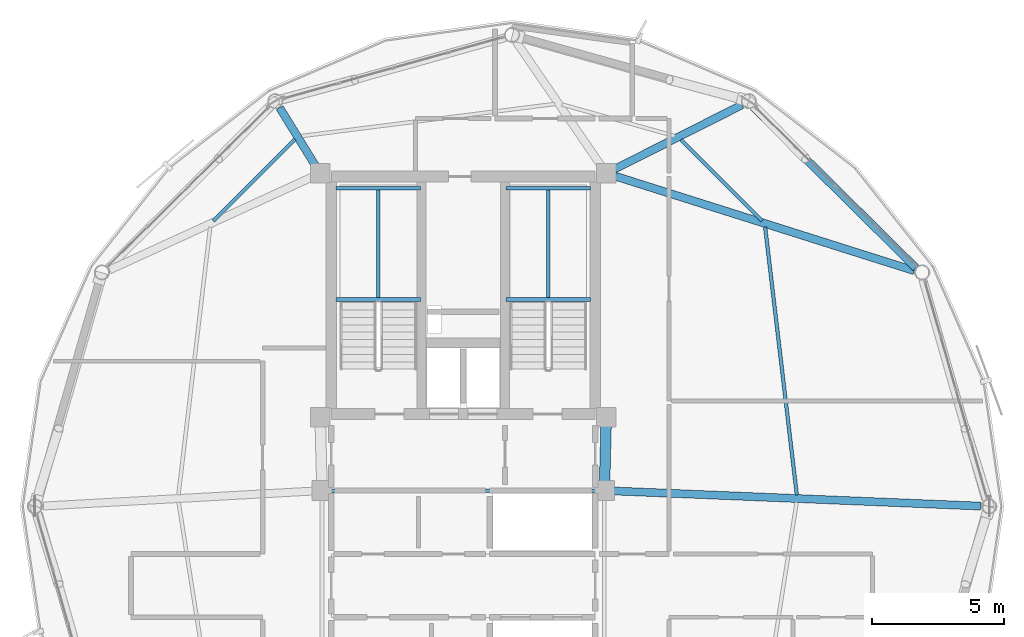
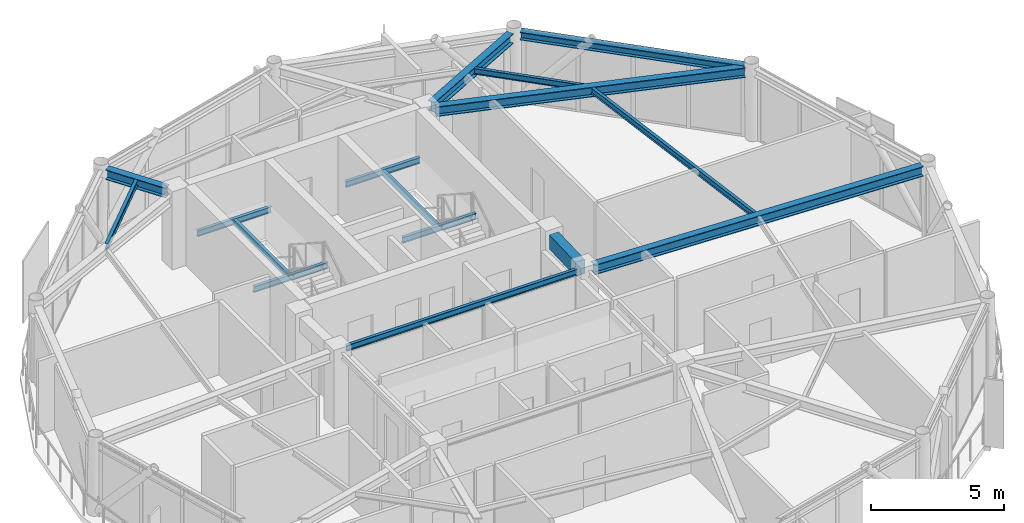
# One storey, part 13 of 26: 16 beams.
"""IFC4 building model written with IfcOpenShell, lengths in metres."""

from ifc_helpers import new_model, si_unit, direction, frame, origin, origin_2d, place, context, subcontext, project, spatial, rectangle, i_section, extrude, material, material_profile, profile_set, type_object, element, save


model = new_model("IFC4")

# Units and contexts
model_context = context("Model", 3, precision=1e-05, world=origin(), true_north=direction((0.0, 1.0)))
body_context = subcontext(model_context, "Body", "Model", "MODEL_VIEW")
ifc_project = project(units=[si_unit("LENGTHUNIT", "METRE"), si_unit("AREAUNIT", "SQUARE_METRE"), si_unit("VOLUMEUNIT", "CUBIC_METRE"), si_unit("PLANEANGLEUNIT", "RADIAN"), si_unit("MASSUNIT", "GRAM", prefix="KILO")], contexts=[model_context])

# Site, building, storey
site_placement = place(None, origin())
site = spatial("IfcSite", under=ifc_project, at=site_placement, CompositionType="ELEMENT")
building_placement = place(site_placement, origin())
building = spatial("IfcBuilding", under=site, at=building_placement, Name="Varnakorn Sky Granary", CompositionType="ELEMENT")
storey_placement = place(building_placement, frame((0.0, 0.0, 270.60009765625)))
storey = spatial("IfcBuildingStorey", under=building, at=storey_placement, Name="L69", CompositionType="ELEMENT", Elevation=270.60009765625)

# Beams
ifc_material_1 = material(Name="Concrete C50/60", Category="concrete")
ifc_material_profile_1 = material_profile(ifc_material_1, rectangle(XDim=0.39990234375, YDim=0.64990234375, at=origin_2d()), Name="RC 400x650")
ifc_profile_set_1 = profile_set([ifc_material_profile_1], Name="Concrete C50/60")
beam_type_1 = type_object("IfcBeamType", Name="BM-LIN-650", PredefinedType="LINTEL", material=ifc_profile_set_1)
beam_1_placement = place(storey_placement, frame((8.4111328125, 3.025146484375, 3.034912109375), z_axis=(-0.025227817192, -0.999681727971, 0.0), x_axis=(0.999681727971, -0.025227817192, 0.0)))
element("IfcBeam", 1, at=beam_1_placement, inside=storey, type_object=beam_type_1, Name="Core Spine Framing Beam 2 L69", PredefinedType="LINTEL", context=body_context, shape_type="SweptSolid", body=[
    extrude(rectangle(XDim=0.39990234375, YDim=0.64990234375, at=origin_2d()), origin(), (0.0, 0.0, 1.0), 2.071044921875),
])
ifc_material_2 = material(Name="Steel S355JR", Category="steel")
ifc_material_profile_2 = material_profile(ifc_material_2, i_section(OverallWidth=0.135009765625, OverallDepth=0.27001953125, WebThickness=0.006591796875, FlangeThickness=0.01025390625, at=origin_2d()), Name="IPE 270")
ifc_profile_set_2 = profile_set([ifc_material_profile_2], Name="Steel S355JR")
beam_type_2 = type_object("IfcBeamType", Name="BM-LND-270", PredefinedType="BEAM", material=ifc_profile_set_2)
for number, where, z_axis, x_axis, name in (
    (2, (-1.820068359375, 7.840087890625, 1.46484375), (1.0, 0.0, 0.0), (0.0, 1.0, 0.0), "Stair ST-1 Landing Trimmer Beam A L69-1"),
    (3, (-1.820068359375, 12.06005859375, 1.46484375), (1.0, 0.0, 0.0), (0.0, 1.0, 0.0), "Stair ST-1 Landing Trimmer Beam B L69-1"),
):
    element("IfcBeam", number, at=place(storey_placement, frame(where, z_axis=z_axis, x_axis=x_axis)), inside=storey, type_object=beam_type_2, Name=name, PredefinedType="BEAM", context=body_context, shape_type="SweptSolid", body=[
        extrude(i_section(OverallWidth=0.135009765625, OverallDepth=0.27001953125, WebThickness=0.006591796875, FlangeThickness=0.01025390625, at=origin_2d()), origin(), (0.0, 0.0, 1.0), 3.199951171875),
    ])
beam_2_placement = place(storey_placement, frame((-0.219970703125, 7.840087890625, 1.46484375), z_axis=(0.0, 1.0, 0.0), x_axis=(-1.0, 0.0, 0.0)))
element("IfcBeam", 4, at=beam_2_placement, inside=storey, type_object=beam_type_2, Name="Stair ST-1 Landing Cross Beam C L69-1", PredefinedType="BEAM", context=body_context, shape_type="SweptSolid", body=[
    extrude(i_section(OverallWidth=0.135009765625, OverallDepth=0.27001953125, WebThickness=0.006591796875, FlangeThickness=0.01025390625, at=origin_2d()), origin(), (0.0, 0.0, 1.0), 4.219970703125),
])
for number, where, z_axis, x_axis, name in (
    (5, (4.6201171875, 7.840087890625, 1.46484375), (1.0, 0.0, 0.0), (0.0, 1.0, 0.0), "Stair ST-2 Landing Trimmer Beam A L69-1"),
    (6, (4.6201171875, 12.06005859375, 1.46484375), (1.0, 0.0, 0.0), (0.0, 1.0, 0.0), "Stair ST-2 Landing Trimmer Beam B L69-1"),
):
    element("IfcBeam", number, at=place(storey_placement, frame(where, z_axis=z_axis, x_axis=x_axis)), inside=storey, type_object=beam_type_2, Name=name, PredefinedType="BEAM", context=body_context, shape_type="SweptSolid", body=[
        extrude(i_section(OverallWidth=0.135009765625, OverallDepth=0.27001953125, WebThickness=0.006591796875, FlangeThickness=0.01025390625, at=origin_2d()), origin(), (0.0, 0.0, 1.0), 3.199951171875),
    ])
beam_3_placement = place(storey_placement, frame((6.219970703125, 7.840087890625, 1.46484375), z_axis=(0.0, 1.0, 0.0), x_axis=(-1.0, 0.0, 0.0)))
element("IfcBeam", 7, at=beam_3_placement, inside=storey, type_object=beam_type_2, Name="Stair ST-2 Landing Cross Beam C L69-1", PredefinedType="BEAM", context=body_context, shape_type="SweptSolid", body=[
    extrude(i_section(OverallWidth=0.135009765625, OverallDepth=0.27001953125, WebThickness=0.006591796875, FlangeThickness=0.01025390625, at=origin_2d()), origin(), (0.0, 0.0, 1.0), 4.219970703125),
])
ifc_material_profile_3 = material_profile(ifc_material_2, i_section(OverallWidth=0.300048828125, OverallDepth=0.449951171875, WebThickness=0.013916015625, FlangeThickness=0.02587890625, at=origin_2d()), Name="HE 450 B")
ifc_profile_set_3 = profile_set([ifc_material_profile_3], Name="Steel S355JR")
beam_type_3 = type_object("IfcBeamType", Name="BM-RAD-Z5", PredefinedType="BEAM", material=ifc_profile_set_3)
beam_4_placement = place(storey_placement, frame((8.70458984375, 0.585205078125, 3.135009765625), z_axis=(0.999148060634, -0.04126927346, 0.0), x_axis=(0.04126927346, 0.999148060634, 0.0)))
element("IfcBeam", 8, at=beam_4_placement, inside=storey, type_object=beam_type_3, Name="Radial Floor Girder RG01 L69", PredefinedType="BEAM", context=body_context, shape_type="SweptSolid", body=[
    extrude(i_section(OverallWidth=0.300048828125, OverallDepth=0.449951171875, WebThickness=0.013916015625, FlangeThickness=0.02587890625, at=origin_2d()), origin(), (0.0, 0.0, 1.0), 13.9140625),
])
beam_5_placement = place(storey_placement, frame((8.758544921875, 12.512939453125, 3.135009765625), z_axis=(0.953444376816, -0.301568931287, 0.0), x_axis=(0.301568931287, 0.953444376816, 0.0)))
element("IfcBeam", 9, at=beam_5_placement, inside=storey, type_object=beam_type_3, Name="Radial Floor Girder RG02 L69", PredefinedType="BEAM", context=body_context, shape_type="SweptSolid", body=[
    extrude(i_section(OverallWidth=0.300048828125, OverallDepth=0.449951171875, WebThickness=0.013916015625, FlangeThickness=0.02587890625, at=origin_2d()), origin(), (0.0, 0.0, 1.0), 11.882080078125),
])
beam_6_placement = place(storey_placement, frame((8.737060546875, 12.77978515625, 3.135009765625), z_axis=(0.892956893584, 0.450142184427, 0.0), x_axis=(-0.450142184427, 0.892956893584, 0.0)))
element("IfcBeam", 10, at=beam_6_placement, inside=storey, type_object=beam_type_3, Name="Radial Floor Girder RG03 L69", PredefinedType="BEAM", context=body_context, shape_type="SweptSolid", body=[
    extrude(i_section(OverallWidth=0.300048828125, OverallDepth=0.449951171875, WebThickness=0.013916015625, FlangeThickness=0.02587890625, at=origin_2d()), origin(), (0.0, 0.0, 1.0), 5.397705078125),
])
beam_7_placement = place(storey_placement, frame((-2.606689453125, 12.922119140625, 3.135009765625), z_axis=(-0.525515179858, 0.85078422396, 0.0), x_axis=(-0.85078422396, -0.525515179858, 0.0)))
element("IfcBeam", 11, at=beam_7_placement, inside=storey, type_object=beam_type_3, Name="Radial Floor Girder RG05 L69", PredefinedType="BEAM", context=body_context, shape_type="SweptSolid", body=[
    extrude(i_section(OverallWidth=0.300048828125, OverallDepth=0.449951171875, WebThickness=0.013916015625, FlangeThickness=0.02587890625, at=origin_2d()), origin(), (0.0, 0.0, 1.0), 2.56396484375),
])
ifc_material_profile_4 = material_profile(ifc_material_2, i_section(OverallWidth=0.135009765625, OverallDepth=0.27001953125, WebThickness=0.006591796875, FlangeThickness=0.01025390625, at=origin_2d()), Name="IPE 270")
ifc_profile_set_4 = profile_set([ifc_material_profile_4], Name="Steel S355JR")
beam_type_4 = type_object("IfcBeamType", Name="BM-SEC-Z5", PredefinedType="BEAM", material=ifc_profile_set_4)
beam_8_placement = place(storey_placement, frame((15.639404296875, 0.43701171875, 3.224853515625), z_axis=(-0.117458247954, 0.993077821718, 0.0), x_axis=(-0.993077821718, -0.117458247954, 0.0)))
element("IfcBeam", 12, at=beam_8_placement, inside=storey, type_object=beam_type_4, Name="Secondary Floor Chord Beam MSB01 L69", PredefinedType="BEAM", context=body_context, shape_type="SweptSolid", body=[
    extrude(i_section(OverallWidth=0.135009765625, OverallDepth=0.27001953125, WebThickness=0.006591796875, FlangeThickness=0.01025390625, at=origin_2d()), origin(), (0.0, 0.0, 1.0), 10.216064453125),
])
beam_9_placement = place(storey_placement, frame((14.323974609375, 10.8203125, 3.224853515625), z_axis=(-0.707415310311, 0.706798117384, 0.0), x_axis=(-0.706798117384, -0.707415310311, 0.0)))
element("IfcBeam", 13, at=beam_9_placement, inside=storey, type_object=beam_type_4, Name="Secondary Floor Chord Beam MSB02 L69", PredefinedType="BEAM", context=body_context, shape_type="SweptSolid", body=[
    extrude(i_section(OverallWidth=0.135009765625, OverallDepth=0.27001953125, WebThickness=0.006591796875, FlangeThickness=0.01025390625, at=origin_2d()), origin(), (0.0, 0.0, 1.0), 4.351318359375),
])
beam_10_placement = place(storey_placement, frame((-3.379150390625, 13.913818359375, 3.224853515625), z_axis=(-0.70646521248, -0.707747768316, 0.0), x_axis=(0.707747768316, -0.70646521248, 0.0)))
element("IfcBeam", 14, at=beam_10_placement, inside=storey, type_object=beam_type_4, Name="Secondary Floor Chord Beam MSB05 L69", PredefinedType="BEAM", context=body_context, shape_type="SweptSolid", body=[
    extrude(i_section(OverallWidth=0.135009765625, OverallDepth=0.27001953125, WebThickness=0.006591796875, FlangeThickness=0.01025390625, at=origin_2d()), origin(), (0.0, 0.0, 1.0), 4.378173828125),
])
beam_11_placement = place(storey_placement, frame((-1.9951171875, 0.60009765625, 3.224853515625), z_axis=(1.0, 0.0, 0.0), x_axis=(0.0, 1.0, 0.0)))
element("IfcBeam", 15, at=beam_11_placement, inside=storey, type_object=beam_type_4, Name="Core Spine Framing Beam 5 L69", PredefinedType="BEAM", context=body_context, shape_type="SweptSolid", body=[
    extrude(i_section(OverallWidth=0.135009765625, OverallDepth=0.27001953125, WebThickness=0.006591796875, FlangeThickness=0.01025390625, at=origin_2d()), origin(), (0.0, 0.0, 1.0), 9.990234375),
])
ifc_material_profile_5 = material_profile(ifc_material_2, i_section(OverallWidth=0.300048828125, OverallDepth=0.360107421875, WebThickness=0.012451171875, FlangeThickness=0.0224609375, at=origin_2d()), Name="HE 360 B")
ifc_profile_set_5 = profile_set([ifc_material_profile_5], Name="Steel S355JR")
beam_type_5 = type_object("IfcBeamType", Name="BM-SPD-Z5", PredefinedType="SPANDREL", material=ifc_profile_set_5)
beam_12_placement = place(storey_placement, frame((20.151611328125, 9.035888671875, 3.179931640625), z_axis=(-0.710781154111, 0.703413214946, 0.0), x_axis=(-0.703413214946, -0.710781154111, 0.0)))
element("IfcBeam", 16, at=beam_12_placement, inside=storey, type_object=beam_type_5, Name="Perimeter Spandrel Ring Beam RB02 L69", PredefinedType="SPANDREL", context=body_context, shape_type="SweptSolid", body=[
    extrude(i_section(OverallWidth=0.300048828125, OverallDepth=0.360107421875, WebThickness=0.012451171875, FlangeThickness=0.0224609375, at=origin_2d()), origin(), (0.0, 0.0, 1.0), 8.681396484375),
])

save(model, "model.ifc")
